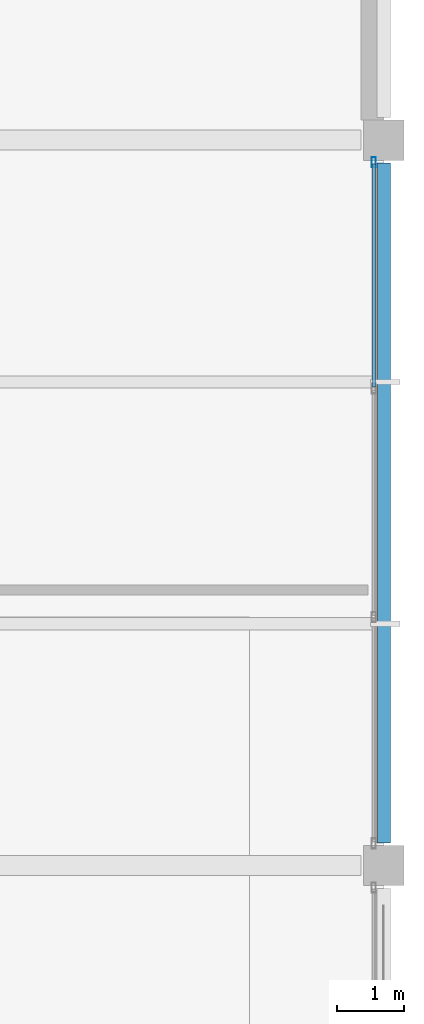
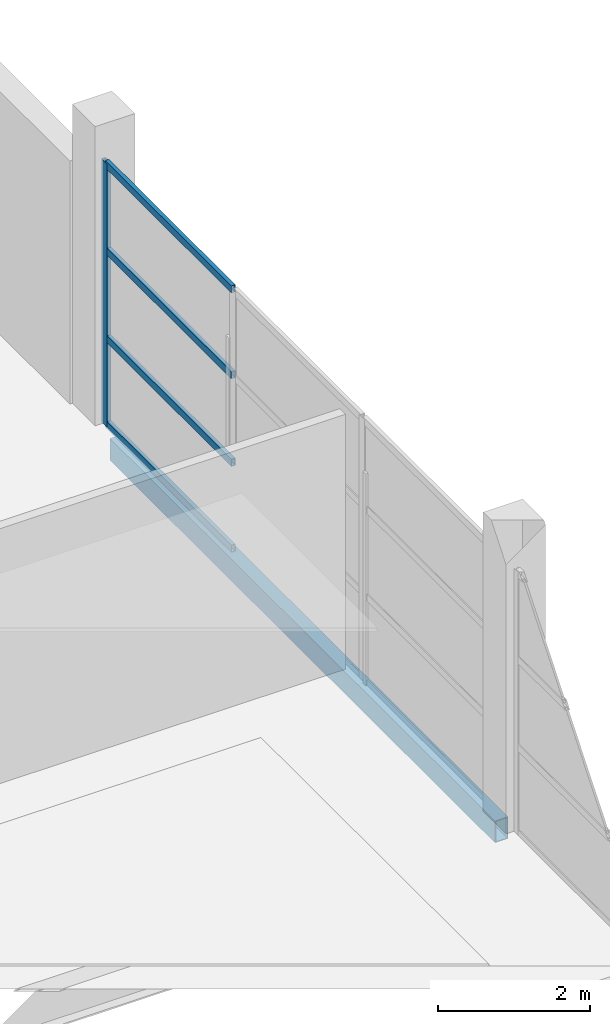
# One storey, part 108 of 134: 5 members, 1 beam, 1 element without a shape of its own.
"""IFC4 building model written with IfcOpenShell, lengths in metres."""

from ifc_helpers import new_model, si_unit, direction, frame, origin, origin_2d, place, context, subcontext, project, spatial, hollow_rectangle, extrude, material, layer, layer_set, material_profile, profile_set, type_object, element, aggregate, save


model = new_model("IFC4")

# Units and contexts
model_context = context("Model", 3, precision=1e-05, world=origin(), true_north=direction((0.0, 1.0)))
body_context = subcontext(model_context, "Body", "Model", "MODEL_VIEW")
ifc_project = project(units=[si_unit("LENGTHUNIT", "METRE"), si_unit("AREAUNIT", "SQUARE_METRE"), si_unit("VOLUMEUNIT", "CUBIC_METRE"), si_unit("PLANEANGLEUNIT", "RADIAN"), si_unit("MASSUNIT", "GRAM", prefix="KILO")], contexts=[model_context])

# Site, building, storey
site_placement = place(None, origin())
site = spatial("IfcSite", under=ifc_project, at=site_placement, CompositionType="ELEMENT")
building_placement = place(site_placement, origin())
building = spatial("IfcBuilding", under=site, at=building_placement, Name="Tamarisk Ironworks Central Station", CompositionType="ELEMENT")
storey_placement = place(building_placement, frame((0.0, 0.0, 12.60009765625)))
storey = spatial("IfcBuildingStorey", under=building, at=storey_placement, Name="L02", CompositionType="ELEMENT", Elevation=12.60009765625)

# Beam
ifc_material_1 = material(Name="Structural steel S355J2", Category="steel")
ifc_material_profile_1 = material_profile(ifc_material_1, hollow_rectangle(XDim=0.199951171875, YDim=0.35009765625, WallThickness=0.012451171875, at=origin_2d()), Name="RHS 350x200x12.5")
ifc_profile_set_1 = profile_set([ifc_material_profile_1], Name="Structural steel S355J2")
beam_type = type_object("IfcBeamType", Name="BM-SP01", PredefinedType="SPANDREL", material=ifc_profile_set_1)
beam_placement = place(storey_placement, frame((180.0, 101.137939453125, -0.425048828125), z_axis=(0.0, 1.0, 0.0), x_axis=(-1.0, 0.0, 0.0)))
element("IfcBeam", 1, at=beam_placement, inside=storey, type_object=beam_type, Name="L02 primary girder Y-0538", PredefinedType="SPANDREL", context=body_context, shape_type="SweptSolid", body=[
    extrude(hollow_rectangle(XDim=0.199951171875, YDim=0.35009765625, WallThickness=0.012451171875, at=origin_2d()), origin(), (0.0, 0.0, 1.0), 10.1240234375),
])

# Curtain wall, members
ifc_material_2 = material(Name="Anodized aluminium alloy 6063-T6", Category="aluminium")
ifc_layer = layer(ifc_material_2, 0.179931640625)
ifc_layer_set = layer_set([ifc_layer], Name="Anodized aluminium alloy 6063-T6")
curtain_wall_type = type_object("IfcCurtainWallType", Name="CW-17", PredefinedType="USERDEFINED", material=ifc_layer_set)
curtain_wall_placement = place(storey_placement, origin())
curtain_wall = element("IfcCurtainWall", 2, at=curtain_wall_placement, inside=storey, type_object=curtain_wall_type, Name="Operations L02 east facade curtain wall 100", ObjectType="GLAZED CURTAIN WALL", PredefinedType="USERDEFINED")
ifc_material_profile_2 = material_profile(ifc_material_2, hollow_rectangle(XDim=0.06005859375, YDim=0.14990234375, WallThickness=0.00341796875, at=origin_2d()), Name="ALUM 150x60")
ifc_profile_set_2 = profile_set([ifc_material_profile_2], Name="Anodized aluminium alloy 6063-T6")
member_type_1 = type_object("IfcMemberType", Name="CWM-03", PredefinedType="MULLION", material=ifc_profile_set_2)
member_1_placement = place(storey_placement, frame((179.85009765625, 111.27197265625, 0.0), z_axis=(0.0, 0.0, 1.0), x_axis=(-1.0, 0.0, 0.0)))
member_1 = element("IfcMember", 3, at=member_1_placement, type_object=member_type_1, Name="CW17 mullion 4", PredefinedType="MULLION", context=body_context, shape_type="SweptSolid", body=[
    extrude(hollow_rectangle(XDim=0.06005859375, YDim=0.14990234375, WallThickness=0.00341796875, at=origin_2d()), origin(), (0.0, 0.0, 1.0), 4.219970703125),
])
ifc_material_profile_3 = material_profile(ifc_material_2, hollow_rectangle(XDim=0.06005859375, YDim=0.114990234375, WallThickness=0.00341796875, at=origin_2d()), Name="ALUM 115x60")
ifc_profile_set_3 = profile_set([ifc_material_profile_3], Name="Anodized aluminium alloy 6063-T6")
member_type_2 = type_object("IfcMemberType", Name="CWT-03", PredefinedType="USERDEFINED", material=ifc_profile_set_3)
member_2_placement = place(storey_placement, frame((179.85009765625, 107.9267578125, 0.02978515625), z_axis=(0.0, 1.0, 0.0), x_axis=(-1.0, 0.0, 0.0)))
member_2 = element("IfcMember", 4, at=member_2_placement, type_object=member_type_2, Name="CW17 transom 3.1", ObjectType="TRANSOM", PredefinedType="USERDEFINED", context=body_context, shape_type="SweptSolid", body=[
    extrude(hollow_rectangle(XDim=0.06005859375, YDim=0.114990234375, WallThickness=0.00341796875, at=origin_2d()), origin(), (0.0, 0.0, 1.0), 3.3193359375),
])
member_3_placement = place(storey_placement, frame((179.85009765625, 107.9267578125, 1.406494140625), z_axis=(0.0, 1.0, 0.0), x_axis=(-1.0, 0.0, 0.0)))
member_3 = element("IfcMember", 5, at=member_3_placement, type_object=member_type_2, Name="CW17 transom 3.2", ObjectType="TRANSOM", PredefinedType="USERDEFINED", context=body_context, shape_type="SweptSolid", body=[
    extrude(hollow_rectangle(XDim=0.06005859375, YDim=0.114990234375, WallThickness=0.00341796875, at=origin_2d()), origin(), (0.0, 0.0, 1.0), 3.3193359375),
])
member_4_placement = place(storey_placement, frame((179.85009765625, 107.9267578125, 2.813232421875), z_axis=(0.0, 1.0, 0.0), x_axis=(-1.0, 0.0, 0.0)))
member_4 = element("IfcMember", 6, at=member_4_placement, type_object=member_type_2, Name="CW17 transom 3.3", ObjectType="TRANSOM", PredefinedType="USERDEFINED", context=body_context, shape_type="SweptSolid", body=[
    extrude(hollow_rectangle(XDim=0.06005859375, YDim=0.114990234375, WallThickness=0.00341796875, at=origin_2d()), origin(), (0.0, 0.0, 1.0), 3.3193359375),
])
member_5_placement = place(storey_placement, frame((179.85009765625, 107.9267578125, 4.18994140625), z_axis=(0.0, 1.0, 0.0), x_axis=(-1.0, 0.0, 0.0)))
member_5 = element("IfcMember", 7, at=member_5_placement, type_object=member_type_2, Name="CW17 transom 3.4", ObjectType="TRANSOM", PredefinedType="USERDEFINED", context=body_context, shape_type="SweptSolid", body=[
    extrude(hollow_rectangle(XDim=0.06005859375, YDim=0.114990234375, WallThickness=0.00341796875, at=origin_2d()), origin(), (0.0, 0.0, 1.0), 3.3193359375),
])
aggregate(curtain_wall, [member_1, member_2, member_3, member_4, member_5])

save(model, "model.ifc")
